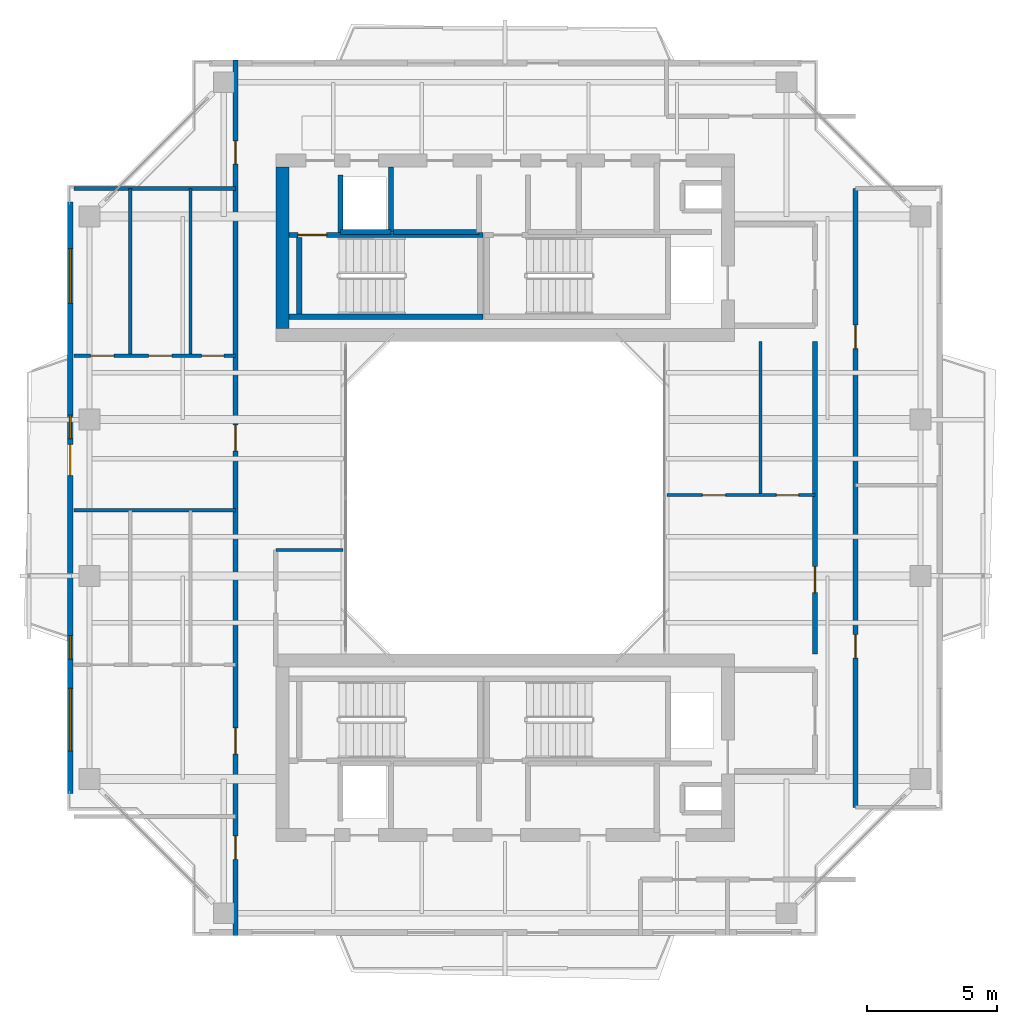
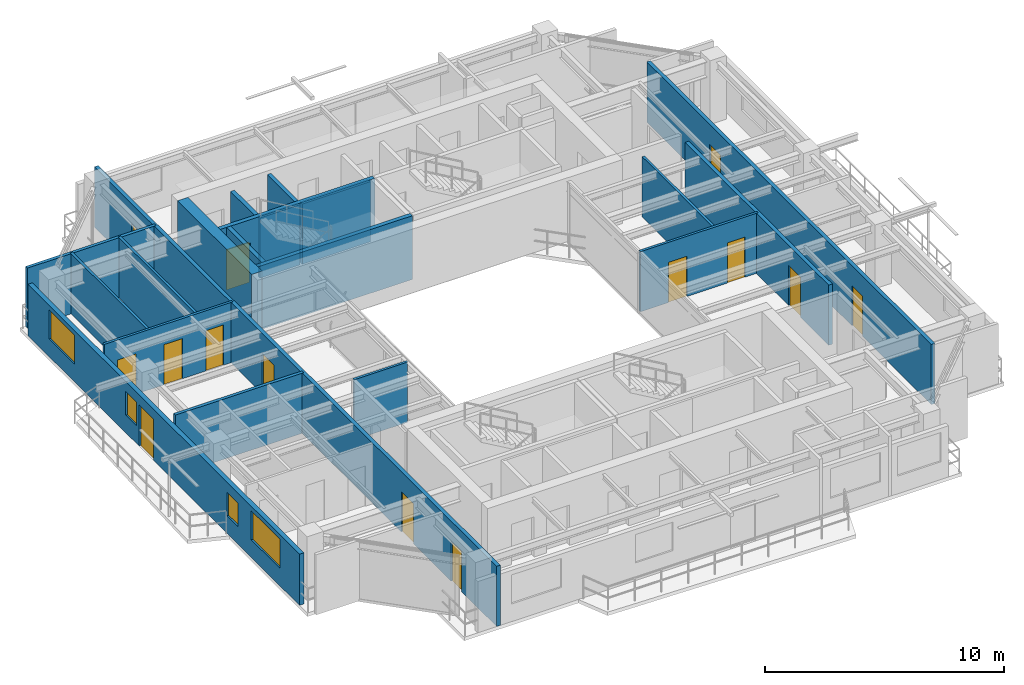
# One storey, part 11 of 16: 20 walls, 14 doors, 4 windows, 18 openings.
"""IFC4 building model written with IfcOpenShell, lengths in metres."""

from ifc_helpers import new_model, si_unit, direction, frame, frame_2d, origin, place, context, subcontext, project, spatial, rectangle, extrude, source, transform, mapped, material, layer, layer_set, type_object, element, fill, save


model = new_model("IFC4")

# Units and contexts
model_context = context("Model", 3, precision=1e-05, world=origin(), true_north=direction((0.0, 1.0)))
body_context = subcontext(model_context, "Body", "Model", "MODEL_VIEW")
ifc_project = project(units=[si_unit("LENGTHUNIT", "METRE"), si_unit("AREAUNIT", "SQUARE_METRE"), si_unit("VOLUMEUNIT", "CUBIC_METRE"), si_unit("PLANEANGLEUNIT", "RADIAN"), si_unit("MASSUNIT", "GRAM", prefix="KILO"), si_unit("THERMODYNAMICTEMPERATUREUNIT", "KELVIN"), si_unit("POWERUNIT", "WATT")], contexts=[model_context])

# Site, building, storey
site_placement = place(None, origin())
site = spatial("IfcSite", under=ifc_project, at=site_placement, CompositionType="ELEMENT")
building_placement = place(site_placement, origin())
building = spatial("IfcBuilding", under=site, at=building_placement, Name="Qiaomeng Ring Towers", CompositionType="ELEMENT")
storey_placement = place(building_placement, frame((0.0, 0.0, 197.0)))
storey = spatial("IfcBuildingStorey", under=building, at=storey_placement, Name="L57", CompositionType="ELEMENT", Elevation=197.0)

# Wall, openings, windows, door
ifc_material_1 = material(Name="Precast concrete C40", Category="concrete")
ifc_layer_1 = layer(ifc_material_1, 0.219970703125, Name="Precast concrete C40")
ifc_layer_set_1 = layer_set([ifc_layer_1], Name="Precast concrete C40")
wall_type_1 = type_object("IfcWallType", Name="ARC-WL-EW2", PredefinedType="STANDARD", material=ifc_layer_set_1)
wall_1_placement = place(storey_placement, frame((2.31005859375, 11.64990234375, 0.0), z_axis=(0.0, 0.0, 1.0), x_axis=(0.0, 1.0, 0.0)))
wall_1 = element("IfcWall", 1, at=wall_1_placement, inside=storey, type_object=wall_type_1, Name="L57 Tower 1 W Exterior Wall", PredefinedType="STANDARD", context=body_context, shape_type="SweptSolid", body=[
    extrude(rectangle(XDim=22.7001953125, YDim=0.219970703125, at=frame_2d((11.35009765625, 0.0))), origin(), (0.0, 0.0, 1.0), 2.610107421875),
])
opening_1_placement = place(wall_1_placement, frame((12.199951171875, 0.0, 0.0)))
opening_1 = element("IfcOpeningElement", 2, at=opening_1_placement, cuts=wall_1, Name="Opening BD1", PredefinedType="OPENING", context=body_context, shape_type="SweptSolid", body=[
    extrude(rectangle(XDim=1.199951171875, YDim=2.10009765625, at=frame_2d((0.60009765625, 1.050048828125))), frame((0.0, 0.119873046875, 0.0), z_axis=(0.0, -1.0, 0.0), x_axis=(1.0, 0.0, 0.0)), (0.0, 0.0, 1.0), 0.239990234375),
])
opening_2_placement = place(wall_1_placement, frame((1.637939453125, 0.0, 0.89990234375)))
opening_2 = element("IfcOpeningElement", 3, at=opening_2_placement, cuts=wall_1, Name="Opening WN6", PredefinedType="OPENING", context=body_context, shape_type="SweptSolid", body=[
    extrude(rectangle(XDim=2.39990234375, YDim=1.47998046875, at=frame_2d((1.199951171875, 0.739990234375))), frame((0.0, 0.119873046875, 0.0), z_axis=(0.0, -1.0, 0.0), x_axis=(1.0, 0.0, 0.0)), (0.0, 0.0, 1.0), 0.239990234375),
])
opening_3_placement = place(wall_1_placement, frame((18.81298828125, 0.0, 0.89990234375)))
opening_3 = element("IfcOpeningElement", 4, at=opening_3_placement, cuts=wall_1, Name="Opening WN4", PredefinedType="OPENING", context=body_context, shape_type="SweptSolid", body=[
    extrude(rectangle(XDim=2.10009765625, YDim=1.47998046875, at=frame_2d((1.050048828125, 0.739990234375))), frame((0.0, 0.119873046875, 0.0), z_axis=(0.0, -1.0, 0.0), x_axis=(1.0, 0.0, 0.0)), (0.0, 0.0, 1.0), 0.239990234375),
])
opening_4_placement = place(wall_1_placement, frame((5.159912109375, 0.0, 0.89990234375)))
opening_4 = element("IfcOpeningElement", 5, at=opening_4_placement, cuts=wall_1, Name="Opening WN5", PredefinedType="OPENING", context=body_context, shape_type="SweptSolid", body=[
    extrude(rectangle(XDim=0.89990234375, YDim=1.199951171875, at=frame_2d((0.449951171875, 0.60009765625))), frame((0.0, 0.119873046875, 0.0), z_axis=(0.0, -1.0, 0.0), x_axis=(1.0, 0.0, 0.0)), (0.0, 0.0, 1.0), 0.239990234375),
])
opening_5_placement = place(wall_1_placement, frame((13.6201171875, 0.0, 0.89990234375)))
opening_5 = element("IfcOpeningElement", 6, at=opening_5_placement, cuts=wall_1, Name="Opening WN5", PredefinedType="OPENING", context=body_context, shape_type="SweptSolid", body=[
    extrude(rectangle(XDim=0.89990234375, YDim=1.199951171875, at=frame_2d((0.449951171875, 0.60009765625))), frame((0.0, 0.119873046875, 0.0), z_axis=(0.0, -1.0, 0.0), x_axis=(1.0, 0.0, 0.0)), (0.0, 0.0, 1.0), 0.239990234375),
])
ifc_material_2 = material(Name="Low-E dark-grey laminated double glazing", Category="glass")
window_type_1 = type_object("IfcWindowType", Name="ARC-WN-4", PartitioningType="TRIPLE_PANEL_VERTICAL", PredefinedType="WINDOW", material=ifc_material_2)
shared_shape_1 = source(origin(), body_context, "Body", "SweptSolid", [
    extrude(rectangle(XDim=2.10009765625, YDim=1.47998046875, at=frame_2d((1.050048828125, 0.739990234375))), frame((0.0, 0.030029296875, 0.0), z_axis=(0.0, -1.0, 0.0), x_axis=(1.0, 0.0, 0.0)), (0.0, 0.0, 1.0), 0.06005859375),
])
window_1_placement = place(opening_3_placement, origin())
window_1 = element("IfcWindow", 7, at=window_1_placement, inside=storey, type_object=window_type_1, Name="L57 Exterior Window WN4", OverallHeight=1.47998046875, OverallWidth=2.10009765625, PartitioningType="TRIPLE_PANEL_VERTICAL", PredefinedType="WINDOW", context=body_context, shape_type="MappedRepresentation", body=[
    mapped(shared_shape_1, transform((0.0, 0.0, 0.0), x_axis=(1.0, 0.0, 0.0), y_axis=(0.0, 1.0, 0.0), z_axis=(0.0, 0.0, 1.0), scale=1.0)),
])
fill(opening_3, window_1)
window_type_2 = type_object("IfcWindowType", Name="ARC-WN-6", PartitioningType="TRIPLE_PANEL_VERTICAL", PredefinedType="WINDOW", material=ifc_material_2)
shared_shape_2 = source(origin(), body_context, "Body", "SweptSolid", [
    extrude(rectangle(XDim=2.39990234375, YDim=1.47998046875, at=frame_2d((1.199951171875, 0.739990234375))), frame((0.0, 0.030029296875, 0.0), z_axis=(0.0, -1.0, 0.0), x_axis=(1.0, 0.0, 0.0)), (0.0, 0.0, 1.0), 0.06005859375),
])
window_2_placement = place(opening_2_placement, origin())
window_2 = element("IfcWindow", 8, at=window_2_placement, inside=storey, type_object=window_type_2, Name="L57 Exterior Window WN6", OverallHeight=1.47998046875, OverallWidth=2.39990234375, PartitioningType="TRIPLE_PANEL_VERTICAL", PredefinedType="WINDOW", context=body_context, shape_type="MappedRepresentation", body=[
    mapped(shared_shape_2, transform((0.0, 0.0, 0.0), x_axis=(1.0, 0.0, 0.0), y_axis=(0.0, 1.0, 0.0), z_axis=(0.0, 0.0, 1.0), scale=1.0)),
])
fill(opening_2, window_2)
door_type_1 = type_object("IfcDoorType", Name="ARC-DR-BD1", OperationType="NOTDEFINED", PredefinedType="DOOR", material=ifc_material_2)
shared_shape_3 = source(origin(), body_context, "Body", "SweptSolid", [
    extrude(rectangle(XDim=1.199951171875, YDim=2.10009765625, at=frame_2d((0.60009765625, 1.050048828125))), frame((0.0, 0.02490234375, 0.0), z_axis=(0.0, -1.0, 0.0), x_axis=(1.0, 0.0, 0.0)), (0.0, 0.0, 1.0), 0.050048828125),
])
door_1_placement = place(opening_1_placement, frame((1.199951171875, 0.0, 0.0), z_axis=(0.0, 0.0, 1.0), x_axis=(-1.0, 0.0, 0.0)))
door_1 = element("IfcDoor", 9, at=door_1_placement, inside=storey, type_object=door_type_1, Name="L57 W Balcony Glazed Door", OperationType="SINGLE_SWING_LEFT", OverallHeight=2.10009765625, OverallWidth=1.199951171875, PredefinedType="DOOR", context=body_context, shape_type="MappedRepresentation", body=[
    mapped(shared_shape_3, transform((0.0, 0.0, 0.0), x_axis=(1.0, 0.0, 0.0), y_axis=(0.0, 1.0, 0.0), z_axis=(0.0, 0.0, 1.0), scale=1.0)),
])
fill(opening_1, door_1)
window_type_3 = type_object("IfcWindowType", Name="ARC-WN-5", PartitioningType="SINGLE_PANEL", PredefinedType="WINDOW", material=ifc_material_2)
shared_shape_4 = source(origin(), body_context, "Body", "SweptSolid", [
    extrude(rectangle(XDim=0.89990234375, YDim=1.199951171875, at=frame_2d((0.449951171875, 0.60009765625))), frame((0.0, 0.030029296875, 0.0), z_axis=(0.0, -1.0, 0.0), x_axis=(1.0, 0.0, 0.0)), (0.0, 0.0, 1.0), 0.06005859375),
])
window_3_placement = place(opening_4_placement, origin())
window_3 = element("IfcWindow", 10, at=window_3_placement, inside=storey, type_object=window_type_3, Name="L57 Exterior Window WN5", OverallHeight=1.199951171875, OverallWidth=0.89990234375, PartitioningType="SINGLE_PANEL", PredefinedType="WINDOW", context=body_context, shape_type="MappedRepresentation", body=[
    mapped(shared_shape_4, transform((0.0, 0.0, 0.0), x_axis=(1.0, 0.0, 0.0), y_axis=(0.0, 1.0, 0.0), z_axis=(0.0, 0.0, 1.0), scale=1.0)),
])
fill(opening_4, window_3)
window_4_placement = place(opening_5_placement, origin())
window_4 = element("IfcWindow", 11, at=window_4_placement, inside=storey, type_object=window_type_3, Name="L57 Exterior Window WN5", OverallHeight=1.199951171875, OverallWidth=0.89990234375, PartitioningType="SINGLE_PANEL", PredefinedType="WINDOW", context=body_context, shape_type="MappedRepresentation", body=[
    mapped(shared_shape_4, transform((0.0, 0.0, 0.0), x_axis=(1.0, 0.0, 0.0), y_axis=(0.0, 1.0, 0.0), z_axis=(0.0, 0.0, 1.0), scale=1.0)),
])
fill(opening_5, window_4)

# Walls
ifc_material_3 = material(Name="Autoclaved aerated concrete block", Category="concrete")
ifc_layer_2 = layer(ifc_material_3, 0.199951171875, Name="Autoclaved aerated concrete block")
ifc_layer_set_2 = layer_set([ifc_layer_2], Name="Autoclaved aerated concrete block")
wall_type_2 = type_object("IfcWallType", Name="ARC-WL-PW1", PredefinedType="PARTITIONING", material=ifc_layer_set_2)
wall_2_placement = place(storey_placement, frame((12.679931640625, 33.18994140625, 0.0), z_axis=(0.0, 0.0, 1.0), x_axis=(0.0, 1.0, 0.0)))
element("IfcWall", 12, at=wall_2_placement, inside=storey, type_object=wall_type_2, Name="L57 Interior Wall PW1", PredefinedType="PARTITIONING", context=body_context, shape_type="SweptSolid", body=[
    extrude(rectangle(XDim=2.2099609375, YDim=0.199951171875, at=frame_2d((1.10498046875, 0.0))), origin(), (0.0, 0.0, 1.0), 3.070068359375),
])
wall_3_placement = place(storey_placement, frame((14.719970703125, 33.199951171875, 0.0), z_axis=(0.0, 0.0, 1.0), x_axis=(1.0, 0.0, 0.0)))
element("IfcWall", 13, at=wall_3_placement, inside=storey, type_object=wall_type_2, Name="L57 Interior Wall PW1", PredefinedType="PARTITIONING", context=body_context, shape_type="SweptSolid", body=[
    extrude(rectangle(XDim=3.280029296875, YDim=0.199951171875, at=frame_2d((1.64013671875, 0.0))), origin(), (0.0, 0.0, 1.0), 3.070068359375),
])

# Wall, openings, doors
ifc_layer_3 = layer(ifc_material_3, 0.179931640625, Name="Autoclaved aerated concrete block")
ifc_layer_set_3 = layer_set([ifc_layer_3], Name="Autoclaved aerated concrete block")
wall_type_3 = type_object("IfcWallType", Name="ARC-WL-PW2", PredefinedType="PARTITIONING", material=ifc_layer_set_3)
wall_4_placement = place(storey_placement, frame((8.64990234375, 6.199951171875, 0.0), z_axis=(0.0, 0.0, 1.0), x_axis=(0.0, 1.0, 0.0)))
wall_4 = element("IfcWall", 14, at=wall_4_placement, inside=storey, type_object=wall_type_3, Name="L57 Interior Wall PW2", PredefinedType="PARTITIONING", context=body_context, shape_type="SweptSolid", body=[
    extrude(rectangle(XDim=33.60009765625, YDim=0.179931640625, at=frame_2d((16.800048828125, 0.0))), origin(), (0.0, 0.0, 1.0), 3.070068359375),
])
opening_6_placement = place(wall_4_placement, frame((29.60498046875, 0.0, 0.0)))
opening_6 = element("IfcOpeningElement", 15, at=opening_6_placement, cuts=wall_4, Name="Opening ID1", PredefinedType="OPENING", context=body_context, shape_type="SweptSolid", body=[
    extrude(rectangle(XDim=0.89990234375, YDim=2.050048828125, at=frame_2d((0.449951171875, 1.02490234375))), frame((0.0, 0.099853515625, 0.0), z_axis=(0.0, -1.0, 0.0), x_axis=(1.0, 0.0, 0.0)), (0.0, 0.0, 1.0), 0.199951171875),
])
opening_7_placement = place(wall_4_placement, frame((2.919921875, 0.0, 0.0)))
opening_7 = element("IfcOpeningElement", 16, at=opening_7_placement, cuts=wall_4, Name="Opening ID1", PredefinedType="OPENING", context=body_context, shape_type="SweptSolid", body=[
    extrude(rectangle(XDim=0.89990234375, YDim=2.050048828125, at=frame_2d((0.449951171875, 1.02490234375))), frame((0.0, 0.099853515625, 0.0), z_axis=(0.0, -1.0, 0.0), x_axis=(1.0, 0.0, 0.0)), (0.0, 0.0, 1.0), 0.199951171875),
])
opening_8_placement = place(wall_4_placement, frame((6.965087890625, 0.0, 0.0)))
opening_8 = element("IfcOpeningElement", 17, at=opening_8_placement, cuts=wall_4, Name="Opening FD4", PredefinedType="OPENING", context=body_context, shape_type="SweptSolid", body=[
    extrude(rectangle(XDim=1.0, YDim=2.050048828125, at=frame_2d((0.5, 1.02490234375))), frame((0.0, 0.099853515625, 0.0), z_axis=(0.0, -1.0, 0.0), x_axis=(1.0, 0.0, 0.0)), (0.0, 0.0, 1.0), 0.199951171875),
])
opening_9_placement = place(wall_4_placement, frame((18.594970703125, 0.0, 0.0)))
opening_9 = element("IfcOpeningElement", 18, at=opening_9_placement, cuts=wall_4, Name="Opening FD4", PredefinedType="OPENING", context=body_context, shape_type="SweptSolid", body=[
    extrude(rectangle(XDim=1.0, YDim=2.050048828125, at=frame_2d((0.5, 1.02490234375))), frame((0.0, 0.099853515625, 0.0), z_axis=(0.0, -1.0, 0.0), x_axis=(1.0, 0.0, 0.0)), (0.0, 0.0, 1.0), 0.199951171875),
])
ifc_material_4 = material(Name="Engineered fire-rated oak timber", Category="wood")
door_type_2 = type_object("IfcDoorType", Name="ARC-DR-FD4", OperationType="NOTDEFINED", PredefinedType="DOOR", material=ifc_material_4)
shared_shape_5 = source(origin(), body_context, "Body", "SweptSolid", [
    extrude(rectangle(XDim=1.0, YDim=2.050048828125, at=frame_2d((0.5, 1.02490234375))), frame((0.0, 0.02490234375, 0.0), z_axis=(0.0, -1.0, 0.0), x_axis=(1.0, 0.0, 0.0)), (0.0, 0.0, 1.0), 0.050048828125),
])
door_2_placement = place(opening_8_placement, origin())
door_2 = element("IfcDoor", 19, at=door_2_placement, inside=storey, type_object=door_type_2, Name="L57 Door FD4", OperationType="SINGLE_SWING_LEFT", OverallHeight=2.050048828125, OverallWidth=1.0, PredefinedType="DOOR", context=body_context, shape_type="MappedRepresentation", body=[
    mapped(shared_shape_5, transform((0.0, 0.0, 0.0), x_axis=(1.0, 0.0, 0.0), y_axis=(0.0, 1.0, 0.0), z_axis=(0.0, 0.0, 1.0), scale=1.0)),
])
fill(opening_8, door_2)
door_3_placement = place(opening_9_placement, origin())
door_3 = element("IfcDoor", 20, at=door_3_placement, inside=storey, type_object=door_type_2, Name="L57 Door FD4", OperationType="SINGLE_SWING_LEFT", OverallHeight=2.050048828125, OverallWidth=1.0, PredefinedType="DOOR", context=body_context, shape_type="MappedRepresentation", body=[
    mapped(shared_shape_5, transform((0.0, 0.0, 0.0), x_axis=(1.0, 0.0, 0.0), y_axis=(0.0, 1.0, 0.0), z_axis=(0.0, 0.0, 1.0), scale=1.0)),
])
fill(opening_9, door_3)
ifc_material_5 = material(Name="Engineered oak timber", Category="wood")
door_type_3 = type_object("IfcDoorType", Name="ARC-DR-ID1", OperationType="NOTDEFINED", PredefinedType="DOOR", material=ifc_material_5)
shared_shape_6 = source(origin(), body_context, "Body", "SweptSolid", [
    extrude(rectangle(XDim=0.89990234375, YDim=2.050048828125, at=frame_2d((0.449951171875, 1.02490234375))), frame((0.0, 0.02490234375, 0.0), z_axis=(0.0, -1.0, 0.0), x_axis=(1.0, 0.0, 0.0)), (0.0, 0.0, 1.0), 0.050048828125),
])
door_4_placement = place(opening_6_placement, origin())
door_4 = element("IfcDoor", 21, at=door_4_placement, inside=storey, type_object=door_type_3, Name="L57 Door ID1", OperationType="SINGLE_SWING_RIGHT", OverallHeight=2.050048828125, OverallWidth=0.89990234375, PredefinedType="DOOR", context=body_context, shape_type="MappedRepresentation", body=[
    mapped(shared_shape_6, transform((0.0, 0.0, 0.0), x_axis=(1.0, 0.0, 0.0), y_axis=(0.0, 1.0, 0.0), z_axis=(0.0, 0.0, 1.0), scale=1.0)),
])
fill(opening_6, door_4)
door_5_placement = place(opening_7_placement, origin())
door_5 = element("IfcDoor", 22, at=door_5_placement, inside=storey, type_object=door_type_3, Name="L57 Door ID1", OperationType="SINGLE_SWING_LEFT", OverallHeight=2.050048828125, OverallWidth=0.89990234375, PredefinedType="DOOR", context=body_context, shape_type="MappedRepresentation", body=[
    mapped(shared_shape_6, transform((0.0, 0.0, 0.0), x_axis=(1.0, 0.0, 0.0), y_axis=(0.0, 1.0, 0.0), z_axis=(0.0, 0.0, 1.0), scale=1.0)),
])
fill(opening_7, door_5)

# Wall, opening, door
wall_5_placement = place(storey_placement, frame((30.89990234375, 17.0, 0.0), z_axis=(0.0, 0.0, 1.0), x_axis=(0.0, 1.0, 0.0)))
wall_5 = element("IfcWall", 23, at=wall_5_placement, inside=storey, type_object=wall_type_3, Name="L57 Interior Wall PW2", PredefinedType="PARTITIONING", context=body_context, shape_type="SweptSolid", body=[
    extrude(rectangle(XDim=12.0, YDim=0.179931640625, at=frame_2d((6.0, 0.0))), origin(), (0.0, 0.0, 1.0), 3.070068359375),
])
opening_10_placement = place(wall_5_placement, frame((2.360107421875, 0.0, 0.0)))
opening_10 = element("IfcOpeningElement", 24, at=opening_10_placement, cuts=wall_5, Name="Opening FD4", PredefinedType="OPENING", context=body_context, shape_type="SweptSolid", body=[
    extrude(rectangle(XDim=1.0, YDim=2.050048828125, at=frame_2d((0.5, 1.02490234375))), frame((0.0, 0.099853515625, 0.0), z_axis=(0.0, -1.0, 0.0), x_axis=(1.0, 0.0, 0.0)), (0.0, 0.0, 1.0), 0.199951171875),
])
door_6_placement = place(opening_10_placement, origin())
door_6 = element("IfcDoor", 25, at=door_6_placement, inside=storey, type_object=door_type_2, Name="L57 Door FD4", OperationType="SINGLE_SWING_LEFT", OverallHeight=2.050048828125, OverallWidth=1.0, PredefinedType="DOOR", context=body_context, shape_type="MappedRepresentation", body=[
    mapped(shared_shape_5, transform((0.0, 0.0, 0.0), x_axis=(1.0, 0.0, 0.0), y_axis=(0.0, 1.0, 0.0), z_axis=(0.0, 0.0, 1.0), scale=1.0)),
])
fill(opening_10, door_6)

# Wall, openings, doors
wall_6_placement = place(storey_placement, frame((32.449951171875, 11.1201171875, 0.0), z_axis=(0.0, 0.0, 1.0), x_axis=(0.0, 1.0, 0.0)))
wall_6 = element("IfcWall", 26, at=wall_6_placement, inside=storey, type_object=wall_type_3, Name="L57 Interior Wall PW2", PredefinedType="PARTITIONING", context=body_context, shape_type="SweptSolid", body=[
    extrude(rectangle(XDim=23.759765625, YDim=0.179931640625, at=frame_2d((11.8798828125, 0.0))), origin(), (0.0, 0.0, 1.0), 3.070068359375),
])
opening_11_placement = place(wall_6_placement, frame((5.72998046875, 0.0, 0.0)))
opening_11 = element("IfcOpeningElement", 27, at=opening_11_placement, cuts=wall_6, Name="Opening ID1", PredefinedType="OPENING", context=body_context, shape_type="SweptSolid", body=[
    extrude(rectangle(XDim=0.89990234375, YDim=2.050048828125, at=frame_2d((0.449951171875, 1.02490234375))), frame((0.0, 0.099853515625, 0.0), z_axis=(0.0, -1.0, 0.0), x_axis=(1.0, 0.0, 0.0)), (0.0, 0.0, 1.0), 0.199951171875),
])
opening_12_placement = place(wall_6_placement, frame((17.610107421875, 0.0, 0.0)))
opening_12 = element("IfcOpeningElement", 28, at=opening_12_placement, cuts=wall_6, Name="Opening ID1", PredefinedType="OPENING", context=body_context, shape_type="SweptSolid", body=[
    extrude(rectangle(XDim=0.89990234375, YDim=2.050048828125, at=frame_2d((0.449951171875, 1.02490234375))), frame((0.0, 0.099853515625, 0.0), z_axis=(0.0, -1.0, 0.0), x_axis=(1.0, 0.0, 0.0)), (0.0, 0.0, 1.0), 0.199951171875),
])
door_7_placement = place(opening_11_placement, origin())
door_7 = element("IfcDoor", 29, at=door_7_placement, inside=storey, type_object=door_type_3, Name="L57 Door ID1", OperationType="SINGLE_SWING_RIGHT", OverallHeight=2.050048828125, OverallWidth=0.89990234375, PredefinedType="DOOR", context=body_context, shape_type="MappedRepresentation", body=[
    mapped(shared_shape_6, transform((0.0, 0.0, 0.0), x_axis=(1.0, 0.0, 0.0), y_axis=(0.0, 1.0, 0.0), z_axis=(0.0, 0.0, 1.0), scale=1.0)),
])
fill(opening_11, door_7)
door_8_placement = place(opening_12_placement, origin())
door_8 = element("IfcDoor", 30, at=door_8_placement, inside=storey, type_object=door_type_3, Name="L57 Door ID1", OperationType="SINGLE_SWING_LEFT", OverallHeight=2.050048828125, OverallWidth=0.89990234375, PredefinedType="DOOR", context=body_context, shape_type="MappedRepresentation", body=[
    mapped(shared_shape_6, transform((0.0, 0.0, 0.0), x_axis=(1.0, 0.0, 0.0), y_axis=(0.0, 1.0, 0.0), z_axis=(0.0, 0.0, 1.0), scale=1.0)),
])
fill(opening_12, door_8)

# Walls
ifc_material_6 = material(Name="Gypsum fireboard steel-stud partition", Category="steel")
ifc_layer_4 = layer(ifc_material_6, 0.14990234375, Name="Gypsum fireboard steel-stud partition")
ifc_layer_set_4 = layer_set([ifc_layer_4], Name="Gypsum fireboard steel-stud partition")
wall_type_4 = type_object("IfcWallType", Name="ARC-WL-PW3", PredefinedType="PARTITIONING", material=ifc_layer_set_4)
for number, where, z_axis, x_axis, name in (
    (31, (2.449951171875, 34.8798828125, 0.0), (0.0, 0.0, 1.0), (1.0, 0.0, 0.0), "L57 Interior Wall PW3"),
    (32, (2.449951171875, 22.52001953125, 0.0), (0.0, 0.0, 1.0), (1.0, 0.0, 0.0), "L57 Interior Wall PW3"),
):
    element("IfcWall", number, at=place(storey_placement, frame(where, z_axis=z_axis, x_axis=x_axis)), inside=storey, type_object=wall_type_4, Name=name, PredefinedType="PARTITIONING", context=body_context, shape_type="SweptSolid", body=[
        extrude(rectangle(XDim=6.199951171875, YDim=0.14990234375, at=frame_2d((3.10009765625, 0.0))), origin(), (0.0, 0.0, 1.0), 3.070068359375),
    ])

# Wall, openings, doors
ifc_material_7 = material(Name="Moisture-resistant gypsum steel-stud partition", Category="steel")
ifc_layer_5 = layer(ifc_material_7, 0.1201171875, Name="Moisture-resistant gypsum steel-stud partition")
ifc_layer_set_5 = layer_set([ifc_layer_5], Name="Moisture-resistant gypsum steel-stud partition")
wall_type_5 = type_object("IfcWallType", Name="ARC-WL-PW4", PredefinedType="PLUMBINGWALL", material=ifc_layer_set_5)
wall_7_placement = place(storey_placement, frame((2.449951171875, 28.449951171875, 0.0), z_axis=(0.0, 0.0, 1.0), x_axis=(1.0, 0.0, 0.0)))
wall_7 = element("IfcWall", 33, at=wall_7_placement, inside=storey, type_object=wall_type_5, Name="L57 Interior Wall PW4", PredefinedType="PLUMBINGWALL", context=body_context, shape_type="SweptSolid", body=[
    extrude(rectangle(XDim=6.199951171875, YDim=0.1201171875, at=frame_2d((3.10009765625, 0.0))), origin(), (0.0, 0.0, 1.0), 3.070068359375),
])
opening_13_placement = place(wall_7_placement, frame((0.639892578125, 0.0, 0.0)))
opening_13 = element("IfcOpeningElement", 34, at=opening_13_placement, cuts=wall_7, Name="Opening ID1", PredefinedType="OPENING", context=body_context, shape_type="SweptSolid", body=[
    extrude(rectangle(XDim=0.89990234375, YDim=2.050048828125, at=frame_2d((0.449951171875, 1.02490234375))), frame((0.0, 0.070068359375, 0.0), z_axis=(0.0, -1.0, 0.0), x_axis=(1.0, 0.0, 0.0)), (0.0, 0.0, 1.0), 0.14013671875),
])
opening_14_placement = place(wall_7_placement, frame((2.8701171875, 0.0, 0.0)))
opening_14 = element("IfcOpeningElement", 35, at=opening_14_placement, cuts=wall_7, Name="Opening ID1", PredefinedType="OPENING", context=body_context, shape_type="SweptSolid", body=[
    extrude(rectangle(XDim=0.89990234375, YDim=2.050048828125, at=frame_2d((0.449951171875, 1.02490234375))), frame((0.0, 0.070068359375, 0.0), z_axis=(0.0, -1.0, 0.0), x_axis=(1.0, 0.0, 0.0)), (0.0, 0.0, 1.0), 0.14013671875),
])
opening_15_placement = place(wall_7_placement, frame((4.905029296875, 0.0, 0.0)))
opening_15 = element("IfcOpeningElement", 36, at=opening_15_placement, cuts=wall_7, Name="Opening ID2", PredefinedType="OPENING", context=body_context, shape_type="SweptSolid", body=[
    extrude(rectangle(XDim=0.85009765625, YDim=2.050048828125, at=frame_2d((0.425048828125, 1.02490234375))), frame((0.0, 0.070068359375, 0.0), z_axis=(0.0, -1.0, 0.0), x_axis=(1.0, 0.0, 0.0)), (0.0, 0.0, 1.0), 0.14013671875),
])
ifc_material_8 = material(Name="Moisture-resistant engineered timber", Category="wood")
door_type_4 = type_object("IfcDoorType", Name="ARC-DR-ID2", OperationType="NOTDEFINED", PredefinedType="DOOR", material=ifc_material_8)
shared_shape_7 = source(origin(), body_context, "Body", "SweptSolid", [
    extrude(rectangle(XDim=0.85009765625, YDim=2.050048828125, at=frame_2d((0.425048828125, 1.02490234375))), frame((0.0, 0.02490234375, 0.0), z_axis=(0.0, -1.0, 0.0), x_axis=(1.0, 0.0, 0.0)), (0.0, 0.0, 1.0), 0.050048828125),
])
door_9_placement = place(opening_15_placement, origin())
door_9 = element("IfcDoor", 37, at=door_9_placement, inside=storey, type_object=door_type_4, Name="L57 Door ID2", OperationType="SINGLE_SWING_RIGHT", OverallHeight=2.050048828125, OverallWidth=0.85009765625, PredefinedType="DOOR", context=body_context, shape_type="MappedRepresentation", body=[
    mapped(shared_shape_7, transform((0.0, 0.0, 0.0), x_axis=(1.0, 0.0, 0.0), y_axis=(0.0, 1.0, 0.0), z_axis=(0.0, 0.0, 1.0), scale=1.0)),
])
fill(opening_15, door_9)
door_10_placement = place(opening_13_placement, origin())
door_10 = element("IfcDoor", 38, at=door_10_placement, inside=storey, type_object=door_type_3, Name="L57 Door ID1", OperationType="SINGLE_SWING_RIGHT", OverallHeight=2.050048828125, OverallWidth=0.89990234375, PredefinedType="DOOR", context=body_context, shape_type="MappedRepresentation", body=[
    mapped(shared_shape_6, transform((0.0, 0.0, 0.0), x_axis=(1.0, 0.0, 0.0), y_axis=(0.0, 1.0, 0.0), z_axis=(0.0, 0.0, 1.0), scale=1.0)),
])
fill(opening_13, door_10)
door_11_placement = place(opening_14_placement, origin())
door_11 = element("IfcDoor", 39, at=door_11_placement, inside=storey, type_object=door_type_3, Name="L57 Door ID1", OperationType="SINGLE_SWING_LEFT", OverallHeight=2.050048828125, OverallWidth=0.89990234375, PredefinedType="DOOR", context=body_context, shape_type="MappedRepresentation", body=[
    mapped(shared_shape_6, transform((0.0, 0.0, 0.0), x_axis=(1.0, 0.0, 0.0), y_axis=(0.0, 1.0, 0.0), z_axis=(0.0, 0.0, 1.0), scale=1.0)),
])
fill(opening_14, door_11)

# Walls
for number, where, z_axis, x_axis, name in (
    (40, (4.610107421875, 28.449951171875, 0.0), (0.0, 0.0, 1.0), (0.0, 1.0, 0.0), "L57 Interior Wall PW4"),
    (41, (6.929931640625, 28.449951171875, 0.0), (0.0, 0.0, 1.0), (0.0, 1.0, 0.0), "L57 Interior Wall PW4"),
):
    element("IfcWall", number, at=place(storey_placement, frame(where, z_axis=z_axis, x_axis=x_axis)), inside=storey, type_object=wall_type_5, Name=name, PredefinedType="PLUMBINGWALL", context=body_context, shape_type="SweptSolid", body=[
        extrude(rectangle(XDim=6.429931640625, YDim=0.1201171875, at=frame_2d((3.21484375, 0.0))), origin(), (0.0, 0.0, 1.0), 3.070068359375),
    ])
wall_8_placement = place(storey_placement, frame((10.199951171875, 21.0, 0.0), z_axis=(0.0, 0.0, 1.0), x_axis=(1.0, 0.0, 0.0)))
element("IfcWall", 42, at=wall_8_placement, inside=storey, type_object=wall_type_5, Name="L57 Interior Wall PW4", PredefinedType="PLUMBINGWALL", context=body_context, shape_type="SweptSolid", body=[
    extrude(rectangle(XDim=2.580078125, YDim=0.1201171875, at=frame_2d((1.2900390625, 0.0))), origin(), (0.0, 0.0, 1.0), 3.070068359375),
])

# Wall, openings, doors
wall_9_placement = place(storey_placement, frame((25.219970703125, 23.10009765625, 0.0), z_axis=(0.0, 0.0, 1.0), x_axis=(1.0, 0.0, 0.0)))
wall_9 = element("IfcWall", 43, at=wall_9_placement, inside=storey, type_object=wall_type_5, Name="L57 Interior Wall PW4", PredefinedType="PLUMBINGWALL", context=body_context, shape_type="SweptSolid", body=[
    extrude(rectangle(XDim=5.679931640625, YDim=0.1201171875, at=frame_2d((2.83984375, 0.0))), origin(), (0.0, 0.0, 1.0), 3.070068359375),
])
opening_16_placement = place(wall_9_placement, frame((1.35009765625, 0.0, 0.0)))
opening_16 = element("IfcOpeningElement", 44, at=opening_16_placement, cuts=wall_9, Name="Opening ID1", PredefinedType="OPENING", context=body_context, shape_type="SweptSolid", body=[
    extrude(rectangle(XDim=0.89990234375, YDim=2.050048828125, at=frame_2d((0.449951171875, 1.02490234375))), frame((0.0, 0.070068359375, 0.0), z_axis=(0.0, -1.0, 0.0), x_axis=(1.0, 0.0, 0.0)), (0.0, 0.0, 1.0), 0.14013671875),
])
opening_17_placement = place(wall_9_placement, frame((4.195068359375, 0.0, 0.0)))
opening_17 = element("IfcOpeningElement", 45, at=opening_17_placement, cuts=wall_9, Name="Opening ID2", PredefinedType="OPENING", context=body_context, shape_type="SweptSolid", body=[
    extrude(rectangle(XDim=0.85009765625, YDim=2.050048828125, at=frame_2d((0.425048828125, 1.02490234375))), frame((0.0, 0.070068359375, 0.0), z_axis=(0.0, -1.0, 0.0), x_axis=(1.0, 0.0, 0.0)), (0.0, 0.0, 1.0), 0.14013671875),
])
door_12_placement = place(opening_17_placement, origin())
door_12 = element("IfcDoor", 46, at=door_12_placement, inside=storey, type_object=door_type_4, Name="L57 Door ID2", OperationType="SINGLE_SWING_RIGHT", OverallHeight=2.050048828125, OverallWidth=0.85009765625, PredefinedType="DOOR", context=body_context, shape_type="MappedRepresentation", body=[
    mapped(shared_shape_7, transform((0.0, 0.0, 0.0), x_axis=(1.0, 0.0, 0.0), y_axis=(0.0, 1.0, 0.0), z_axis=(0.0, 0.0, 1.0), scale=1.0)),
])
fill(opening_17, door_12)
door_13_placement = place(opening_16_placement, origin())
door_13 = element("IfcDoor", 47, at=door_13_placement, inside=storey, type_object=door_type_3, Name="L57 Door ID1", OperationType="SINGLE_SWING_LEFT", OverallHeight=2.050048828125, OverallWidth=0.89990234375, PredefinedType="DOOR", context=body_context, shape_type="MappedRepresentation", body=[
    mapped(shared_shape_6, transform((0.0, 0.0, 0.0), x_axis=(1.0, 0.0, 0.0), y_axis=(0.0, 1.0, 0.0), z_axis=(0.0, 0.0, 1.0), scale=1.0)),
])
fill(opening_16, door_13)

# Walls
wall_10_placement = place(storey_placement, frame((28.800048828125, 23.10009765625, 0.0), z_axis=(0.0, 0.0, 1.0), x_axis=(0.0, 1.0, 0.0)))
element("IfcWall", 48, at=wall_10_placement, inside=storey, type_object=wall_type_5, Name="L57 Interior Wall PW4", PredefinedType="PLUMBINGWALL", context=body_context, shape_type="SweptSolid", body=[
    extrude(rectangle(XDim=5.89990234375, YDim=0.1201171875, at=frame_2d((2.949951171875, 0.0))), origin(), (0.0, 0.0, 1.0), 3.070068359375),
])
ifc_material_9 = material(Name="Concrete C40", Category="concrete")
ifc_layer_6 = layer(ifc_material_9, 0.199951171875, Name="Concrete C40")
ifc_layer_set_6 = layer_set([ifc_layer_6], Name="Concrete C40")
wall_type_6 = type_object("IfcWallType", Name="STR-WL-STSHAFT", PredefinedType="SHEAR", material=ifc_layer_set_6)
wall_11_placement = place(storey_placement, frame((12.679931640625, 33.199951171875, 0.0), z_axis=(0.0, 0.0, 1.0), x_axis=(1.0, 0.0, 0.0)))
element("IfcWall", 49, at=wall_11_placement, inside=storey, type_object=wall_type_6, Name="L57 Lift LP5 Shaft Back Wall", PredefinedType="SHEAR", context=body_context, shape_type="SweptSolid", body=[
    extrude(rectangle(XDim=1.940185546875, YDim=0.179931640625, at=frame_2d((0.97021484375, 0.0))), origin(), (0.0, 0.0, 1.0), 3.070068359375),
])
wall_12_placement = place(storey_placement, frame((14.6201171875, 33.199951171875, 0.0), z_axis=(0.0, 0.0, 1.0), x_axis=(0.0, 1.0, 0.0)))
element("IfcWall", 50, at=wall_12_placement, inside=storey, type_object=wall_type_6, Name="L57 Lift LP5-LP3 Shaft Divider Wall", PredefinedType="SHEAR", context=body_context, shape_type="SweptSolid", body=[
    extrude(rectangle(XDim=2.5, YDim=0.179931640625, at=frame_2d((1.25, 0.0))), origin(), (0.0, 0.0, 1.0), 3.070068359375),
])
wall_13_placement = place(storey_placement, frame((10.699951171875, 29.949951171875, 0.0), z_axis=(0.0, 0.0, 1.0), x_axis=(1.0, 0.0, 0.0)))
element("IfcWall", 51, at=wall_13_placement, inside=storey, type_object=wall_type_6, Name="L57 Stair ST1 South Shaft Shear Wall", PredefinedType="SHEAR", context=body_context, shape_type="SweptSolid", body=[
    extrude(rectangle(XDim=7.449951171875, YDim=0.199951171875, at=frame_2d((3.72509765625, 0.0))), origin(), (0.0, 0.0, 1.0), 3.25),
])

# Wall, opening, door
wall_14_placement = place(storey_placement, frame((10.699951171875, 33.090087890625, 0.0), z_axis=(0.0, 0.0, 1.0), x_axis=(1.0, 0.0, 0.0)))
wall_14 = element("IfcWall", 52, at=wall_14_placement, inside=storey, type_object=wall_type_6, Name="L57 Stair ST1 North Shaft Shear Wall", PredefinedType="SHEAR", context=body_context, shape_type="SweptSolid", body=[
    extrude(rectangle(XDim=7.449951171875, YDim=0.199951171875, at=frame_2d((3.72509765625, 0.0))), origin(), (0.0, 0.0, 1.0), 3.25),
])
opening_18_placement = place(wall_14_placement, frame((0.35009765625, 0.0, 0.0)))
opening_18 = element("IfcOpeningElement", 53, at=opening_18_placement, cuts=wall_14, Name="Opening FD3", PredefinedType="OPENING", context=body_context, shape_type="SweptSolid", body=[
    extrude(rectangle(XDim=1.10009765625, YDim=2.050048828125, at=frame_2d((0.550048828125, 1.02490234375))), frame((0.0, 0.10986328125, 0.0), z_axis=(0.0, -1.0, 0.0), x_axis=(1.0, 0.0, 0.0)), (0.0, 0.0, 1.0), 0.219970703125),
])
ifc_material_10 = material(Name="Galvanised steel", Category="steel")
door_type_5 = type_object("IfcDoorType", Name="ARC-DR-FD3", OperationType="NOTDEFINED", PredefinedType="DOOR", material=ifc_material_10)
shared_shape_8 = source(origin(), body_context, "Body", "SweptSolid", [
    extrude(rectangle(XDim=1.10009765625, YDim=2.050048828125, at=frame_2d((0.550048828125, 1.02490234375))), frame((0.0, 0.02490234375, 0.0), z_axis=(0.0, -1.0, 0.0), x_axis=(1.0, 0.0, 0.0)), (0.0, 0.0, 1.0), 0.050048828125),
])
door_14_placement = place(opening_18_placement, origin())
door_14 = element("IfcDoor", 54, at=door_14_placement, inside=storey, type_object=door_type_5, Name="L57 Stair ST1 Exit Door", OperationType="SINGLE_SWING_LEFT", OverallHeight=2.050048828125, OverallWidth=1.10009765625, PredefinedType="DOOR", context=body_context, shape_type="MappedRepresentation", body=[
    mapped(shared_shape_8, transform((0.0, 0.0, 0.0), x_axis=(1.0, 0.0, 0.0), y_axis=(0.0, 1.0, 0.0), z_axis=(0.0, 0.0, 1.0), scale=1.0)),
])
fill(opening_18, door_14)

# Walls
wall_15_placement = place(storey_placement, frame((11.10009765625, 30.050048828125, 0.0), z_axis=(0.0, 0.0, 1.0), x_axis=(0.0, 1.0, 0.0)))
element("IfcWall", 55, at=wall_15_placement, inside=storey, type_object=wall_type_6, Name="L57 Stair ST1 West Shaft Shear Wall", PredefinedType="SHEAR", context=body_context, shape_type="SweptSolid", body=[
    extrude(rectangle(XDim=2.93994140625, YDim=0.199951171875, at=frame_2d((1.469970703125, 0.0))), origin(), (0.0, 0.0, 1.0), 3.25),
])
ifc_layer_7 = layer(ifc_material_9, 0.5, Name="Concrete C40")
ifc_layer_set_7 = layer_set([ifc_layer_7], Name="Concrete C40")
wall_type_7 = type_object("IfcWallType", Name="STR-WL-SW3", PredefinedType="SHEAR", material=ifc_layer_set_7)
wall_16_placement = place(storey_placement, frame((10.449951171875, 29.5, 0.0), z_axis=(0.0, 0.0, 1.0), x_axis=(0.0, 1.0, 0.0)))
element("IfcWall", 56, at=wall_16_placement, inside=storey, type_object=wall_type_7, Name="L57 T1NC west core shear wall", PredefinedType="SHEAR", context=body_context, shape_type="SweptSolid", body=[
    extrude(rectangle(XDim=6.199951171875, YDim=0.5, at=frame_2d((3.10009765625, 0.0))), origin(), (0.0, 0.0, 1.0), 3.25),
])

save(model, "model.ifc")
